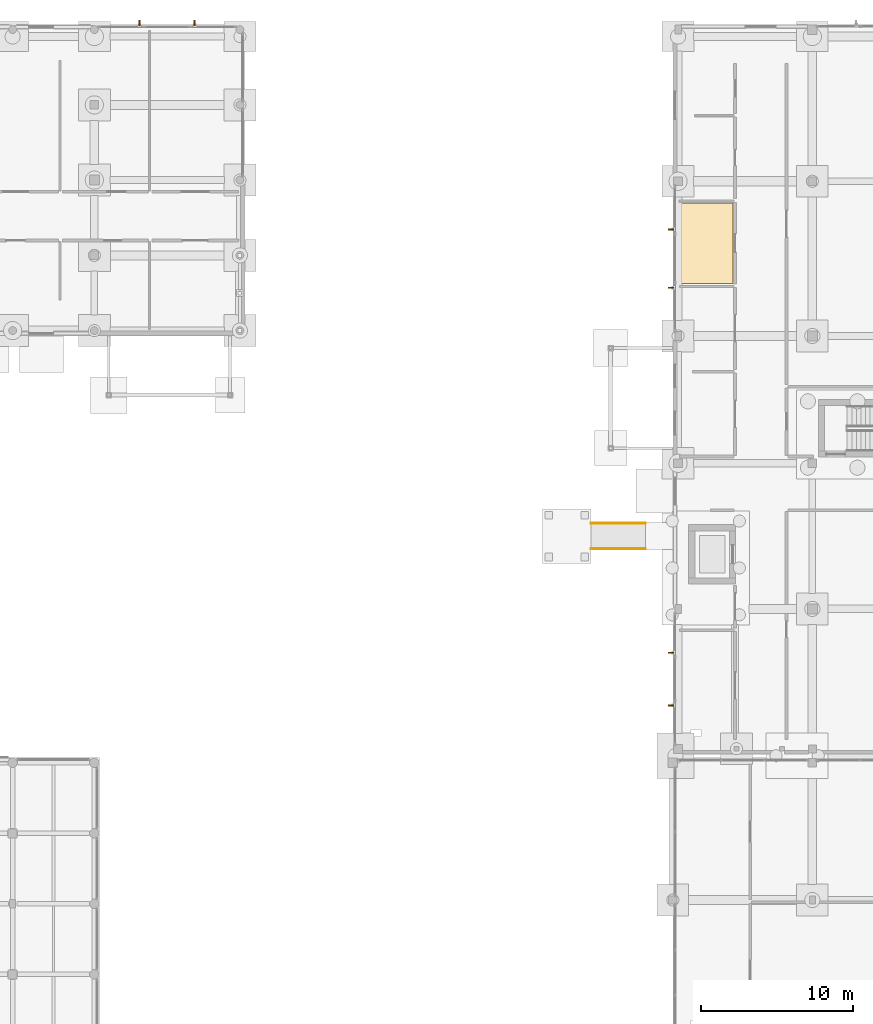
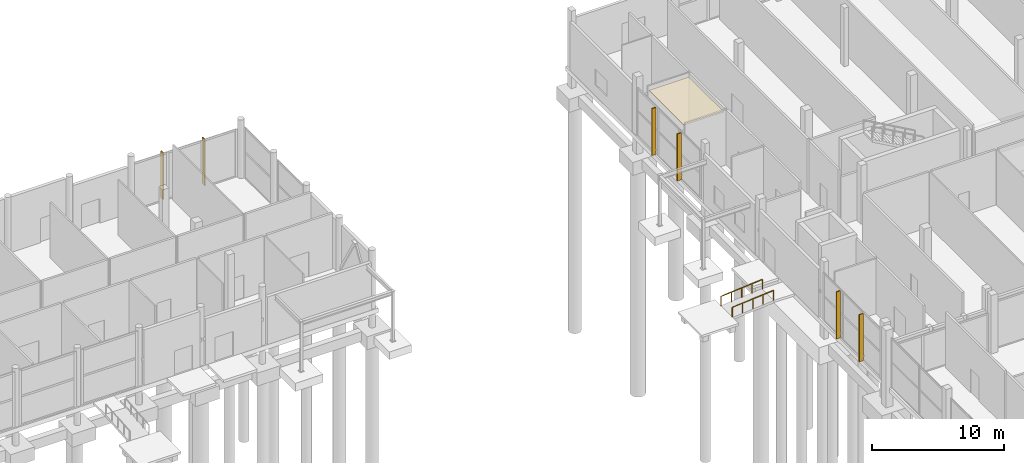
# One storey, part 84 of 88: 6 shading devices, 2 railings, 1 covering.
"""IFC4 building model written with IfcOpenShell, lengths in metres."""

from ifc_helpers import new_model, si_unit, direction, frame, origin, origin_2d, place, context, subcontext, project, spatial, polyline, rectangle, circle, outline, extrude, material, layer, layer_set, type_object, element, save


model = new_model("IFC4")

# Units and contexts
model_context = context("Model", 3, precision=1e-05, world=origin(), true_north=direction((0.0, 1.0)))
body_context = subcontext(model_context, "Body", "Model", "MODEL_VIEW")
ifc_project = project(units=[si_unit("LENGTHUNIT", "METRE"), si_unit("AREAUNIT", "SQUARE_METRE"), si_unit("VOLUMEUNIT", "CUBIC_METRE"), si_unit("PLANEANGLEUNIT", "RADIAN"), si_unit("MASSUNIT", "GRAM", prefix="KILO")], contexts=[model_context])

# Site, building, storey
site_placement = place(None, origin())
site = spatial("IfcSite", under=ifc_project, at=site_placement, CompositionType="ELEMENT")
building_placement = place(site_placement, origin())
building = spatial("IfcBuilding", under=site, at=building_placement, Name="Birchvale Park Specialist Clinic", CompositionType="ELEMENT")
storey_placement = place(building_placement, origin())
storey = spatial("IfcBuildingStorey", under=building, at=storey_placement, Name="L00", CompositionType="ELEMENT", Elevation=0.0)

# Covering
ifc_material_1 = material(Name="Acoustic mineral-fibre wood-wool ceiling", Category="wood")
ifc_layer = layer(ifc_material_1, 0.034912109375)
ifc_layer_set = layer_set([ifc_layer], Name="Acoustic mineral-fibre wood-wool ceiling")
covering_type = type_object("IfcCoveringType", Name="COV-CE1", PredefinedType="CEILING", material=ifc_layer_set)
covering_placement = place(storey_placement, frame((0.0, 0.0, 4.715087890625)))
element("IfcCovering", 1, at=covering_placement, inside=storey, type_object=covering_type, Name="V6 L00 acoustic clinical ceiling 3", PredefinedType="CEILING", context=body_context, shape_type="SweptSolid", body=[
    extrude(outline(polyline([(128.47998046875, 94.666015625), (131.97998046875, 94.666015625), (131.97998046875, 99.97412109375), (128.47998046875, 99.97412109375), (128.47998046875, 94.666015625)])), origin(), (0.0, 0.0, 1.0), 0.034912109375),
])

# Railings
ifc_material_2 = material(Name="Anodised aluminium handrail", Category="aluminium")
railing_type = type_object("IfcRailingType", Name="RL-HND1", PredefinedType="HANDRAIL", material=ifc_material_2)
for number, where, name in (
    (2, (122.60009765625, 77.159912109375, -0.300048828125), "Accessible ramp handrail AR-5 L"),
    (3, (122.60009765625, 78.840087890625, -0.300048828125), "Accessible ramp handrail AR-5 R"),
):
    element("IfcRailing", number, at=place(storey_placement, frame(where)), inside=storey, type_object=railing_type, Name=name, PredefinedType="HANDRAIL", context=body_context, shape_type="SweptSolid", body=[
        extrude(circle(Radius=0.02392578125, at=origin_2d()), frame((0.0, 0.0, 0.89599609375), z_axis=(0.996544359788, 0.0, 0.083062259626), x_axis=(0.0, 1.0, 0.0)), (0.0, 0.0, 1.0), 3.6123046875),
        extrude(circle(Radius=0.02099609375, at=origin_2d()), origin(), (0.0, 0.0, 1.0), 0.871826171875),
        extrude(circle(Radius=0.02099609375, at=origin_2d()), frame((0.89990234375, 0.0, 0.074951171875)), (0.0, 0.0, 1.0), 0.871826171875),
        extrude(circle(Radius=0.02099609375, at=origin_2d()), frame((1.7998046875, 0.0, 0.14990234375)), (0.0, 0.0, 1.0), 0.871826171875),
        extrude(circle(Radius=0.02099609375, at=origin_2d()), frame((2.699951171875, 0.0, 0.22509765625)), (0.0, 0.0, 1.0), 0.871826171875),
        extrude(circle(Radius=0.02099609375, at=origin_2d()), frame((3.599853515625, 0.0, 0.300048828125)), (0.0, 0.0, 1.0), 0.871826171875),
    ])

# Shading devices
ifc_material_3 = material(Name="Glulam GL28h", Category="wood")
shading_device_type = type_object("IfcShadingDeviceType", Name="SHD-FIN1", PredefinedType="USERDEFINED", material=ifc_material_3)
for number, where, z_axis, x_axis, name in (
    (4, (96.468017578125, 111.8349609375, 0.050048828125), (0.0, 0.0, 1.0), (0.0, 1.0, 0.0), "V3 L00 glulam solar fin 1"),
    (5, (92.83203125, 111.8349609375, 0.050048828125), (0.0, 0.0, 1.0), (0.0, 1.0, 0.0), "V3 L00 glulam solar fin 2"),
):
    element("IfcShadingDevice", number, at=place(storey_placement, frame(where, z_axis=z_axis, x_axis=x_axis)), inside=storey, type_object=shading_device_type, Name=name, ObjectType="FIN", PredefinedType="USERDEFINED", context=body_context, shape_type="SweptSolid", body=[
        extrude(rectangle(XDim=0.360107421875, YDim=0.090087890625, at=origin_2d()), origin(), (0.0, 0.0, 1.0), 4.2900390625),
    ])
for number, where, z_axis, x_axis, name in (
    (6, (127.89501953125, 98.22607421875, 0.0498046875), (0.0, 0.0, 1.0), (1.0, 0.0, 0.0), "V6 L00 glulam solar fin 16"),
    (7, (127.89501953125, 94.3740234375, 0.0498046875), (0.0, 0.0, 1.0), (1.0, 0.0, 0.0), "V6 L00 glulam solar fin 17"),
    (8, (127.89501953125, 70.31103515625, 0.0498046875), (0.0, 0.0, 1.0), (1.0, 0.0, 0.0), "V6 L00 glulam solar fin 18"),
    (9, (127.89501953125, 66.839111328125, 0.0498046875), (0.0, 0.0, 1.0), (1.0, 0.0, 0.0), "V6 L00 glulam solar fin 19"),
):
    element("IfcShadingDevice", number, at=place(storey_placement, frame(where, z_axis=z_axis, x_axis=x_axis)), inside=storey, type_object=shading_device_type, Name=name, ObjectType="FIN", PredefinedType="USERDEFINED", context=body_context, shape_type="SweptSolid", body=[
        extrude(rectangle(XDim=0.360107421875, YDim=0.090087890625, at=origin_2d()), origin(), (0.0, 0.0, 1.0), 4.344970703125),
    ])

save(model, "model.ifc")
